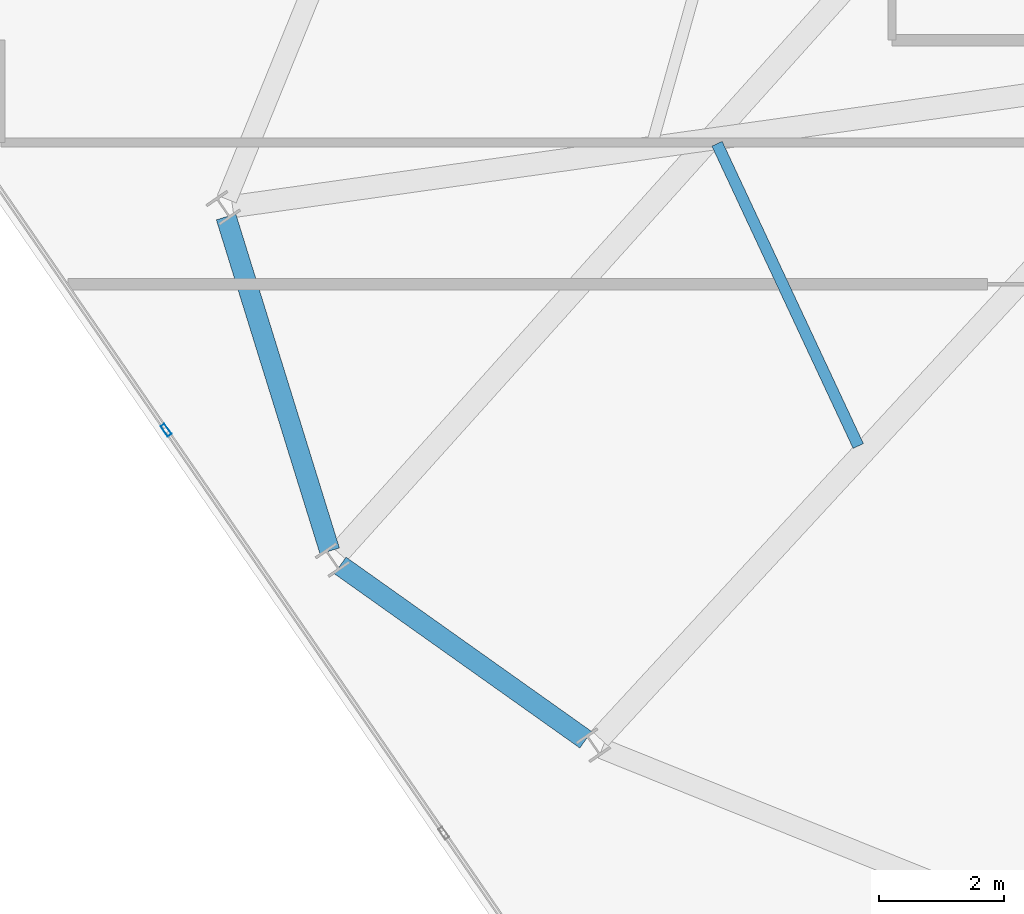
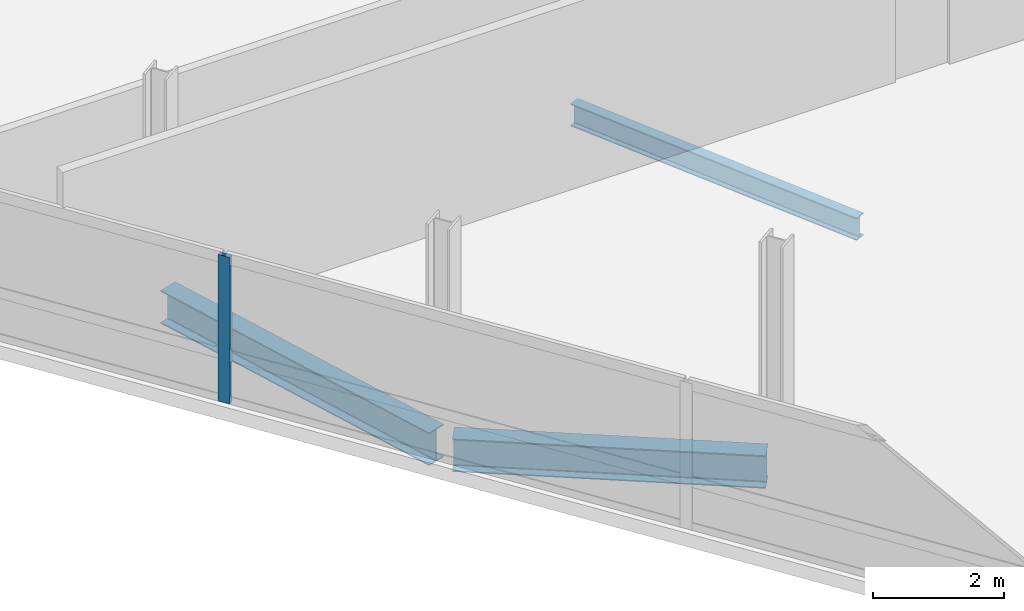
# One storey, part 6 of 23: 3 beams, 1 member, 1 element without a shape of its own.
"""IFC4 building model written with IfcOpenShell, lengths in metres."""

import ifcopenshell
import ifcopenshell.guid

model = None  # the IFC model being written
_history = None  # IfcOwnerHistory: only IFC2X3 demands one
_inside = {}  # id of a spatial element -> (the spatial element, [elements in it])
_under = {}  # id of a project, library or spatial element -> (it, [spatial elements below it])
_declared = {}  # id of a project -> (the project, [libraries it declares])
_typed = {}  # id of a type object -> (the type object, [elements of that type])
_made_of = {}  # id of a material, layer set ... -> (it, [elements and type objects made of it])


def new_model(schema):
    """Start an empty IFC model of exactly this schema.

    Asked for "IFC4X3", IfcOpenShell would pick the latest addendum, in which some entities
    have other attributes; the version numbers below select the first issue.
    IFC2X3 requires an IfcOwnerHistory on every rooted entity: one is made here for all.
    """
    global model, _history
    if schema == "IFC4X3":
        model = ifcopenshell.file(schema_version=(4, 3, 0, 0))
    else:
        model = ifcopenshell.file(schema=schema)
    _inside.clear()
    _under.clear()
    _declared.clear()
    _typed.clear()
    _made_of.clear()
    _history = None
    if model.schema == "IFC2X3":
        org = make("IfcOrganization", Name="unknown")
        user = make(
            "IfcPersonAndOrganization",
            ThePerson=make("IfcPerson", FamilyName="unknown"),
            TheOrganization=org,
        )
        app = make(
            "IfcApplication",
            ApplicationDeveloper=org,
            Version="unknown",
            ApplicationFullName="unknown",
            ApplicationIdentifier="unknown",
        )
        _history = make(
            "IfcOwnerHistory",
            OwningUser=user,
            OwningApplication=app,
            ChangeAction="ADDED",
            CreationDate=0,
        )
    return model


def make(cls, **values):
    """One entity of the class cls with the attributes given. An attribute that is None is left unset."""
    return model.create_entity(
        cls, **{name: value for name, value in values.items() if value is not None}
    )


def rooted(cls, **values):
    """An entity with a GlobalId (a new one), such as an element, a storey or a relation."""
    return make(cls, GlobalId=ifcopenshell.guid.new(), OwnerHistory=_history, **values)


def si_unit(unit_type, name, prefix=None):
    """IfcSIUnit, for example si_unit("LENGTHUNIT", "METRE", prefix="MILLI")."""
    return make("IfcSIUnit", UnitType=unit_type, Prefix=prefix, Name=name)


def assignment(units):
    """IfcUnitAssignment: the units of a project."""
    return None if units is None else make("IfcUnitAssignment", Units=units)


def point(xyz):
    """IfcCartesianPoint."""
    return None if xyz is None else make("IfcCartesianPoint", Coordinates=xyz)


def direction(xyz):
    """IfcDirection."""
    return None if xyz is None else make("IfcDirection", DirectionRatios=xyz)


def frame(location, z_axis=None, x_axis=None):
    """IfcAxis2Placement3D, a coordinate frame: its origin and axes. An axis left out is left unset."""
    return make(
        "IfcAxis2Placement3D",
        Location=point(location),
        Axis=direction(z_axis),
        RefDirection=direction(x_axis),
    )


def frame_2d(location, x_axis=None):
    """IfcAxis2Placement2D, a coordinate frame in the plane: its origin and x axis."""
    return make(
        "IfcAxis2Placement2D", Location=point(location), RefDirection=direction(x_axis)
    )


def origin():
    """The frame at (0, 0, 0) with its axes left unset."""
    return frame((0.0, 0.0, 0.0))


def origin_2d():
    """The frame at (0, 0) in the plane with its x axis left unset."""
    return frame_2d((0.0, 0.0))


def place(relative_to, where):
    """IfcLocalPlacement: puts the frame where relative to a parent placement (None: the world)."""
    return make(
        "IfcLocalPlacement", PlacementRelTo=relative_to, RelativePlacement=where
    )


def context(
    kind, dimensions, precision=None, world=None, true_north=None, identifier=None
):
    """IfcGeometricRepresentationContext, for example the 3D "Model" context."""
    return make(
        "IfcGeometricRepresentationContext",
        ContextIdentifier=identifier,
        ContextType=kind,
        CoordinateSpaceDimension=dimensions,
        Precision=precision,
        WorldCoordinateSystem=world,
        TrueNorth=true_north,
    )


def subcontext(parent, identifier, kind, view, scale=None):
    """IfcGeometricRepresentationSubContext, for example "Body" below "Model"."""
    return make(
        "IfcGeometricRepresentationSubContext",
        ContextIdentifier=identifier,
        ContextType=kind,
        ParentContext=parent,
        TargetScale=scale,
        TargetView=view,
    )


def project(units=None, contexts=None):
    """IfcProject with its units and contexts."""
    return rooted(
        "IfcProject",
        Name="project",
        RepresentationContexts=contexts,
        UnitsInContext=assignment(units),
    )


def spatial(cls, under=None, at=None, **own):
    """A site, building, storey or space (cls), placed at a placement, below another one or the project."""
    s = rooted(cls, ObjectPlacement=at, **own)
    if under is not None:
        _under.setdefault(under.id(), (under, []))[1].append(s)
    return s


def profile(cls, at=None, kind="AREA", **sizes):
    """A parametric profile (cls). Its sizes go by their IFC names, for example OverallWidth=200.0."""
    return make(cls, ProfileType=kind, Position=at, **sizes)


def hollow_rectangle(**sizes):
    """IfcRectangleHollowProfileDef."""
    return profile("IfcRectangleHollowProfileDef", **sizes)


def i_section(**sizes):
    """IfcIShapeProfileDef."""
    return profile("IfcIShapeProfileDef", **sizes)


def extrude(swept, where, along, depth):
    """IfcExtrudedAreaSolid: the profile swept, set in the frame where, extruded along a direction by depth."""
    return make(
        "IfcExtrudedAreaSolid",
        SweptArea=swept,
        Position=where,
        ExtrudedDirection=direction(along),
        Depth=depth,
    )


def shape(context_of_items, identifier, shape_type, items):
    """IfcShapeRepresentation: the items that make up one representation, for example the "Body"."""
    return make(
        "IfcShapeRepresentation",
        ContextOfItems=context_of_items,
        RepresentationIdentifier=identifier,
        RepresentationType=shape_type,
        Items=items,
    )


def material(Name=None, Category=None):
    """IfcMaterial."""
    return make("IfcMaterial", Name=Name, Category=Category)


def layer(
    of_material, thickness, ventilated=None, Name=None, Category=None, Priority=None
):
    """IfcMaterialLayer: one layer of a wall or slab, of a material (None: an air gap)."""
    return make(
        "IfcMaterialLayer",
        Material=of_material,
        LayerThickness=thickness,
        IsVentilated=ventilated,
        Name=Name,
        Category=Category,
        Priority=Priority,
    )


def layer_set(layers, Name=None):
    """IfcMaterialLayerSet."""
    return make("IfcMaterialLayerSet", MaterialLayers=layers, LayerSetName=Name)


def material_profile(
    of_material, cross_section, Name=None, Category=None, Priority=None
):
    """IfcMaterialProfile: a cross section and its material."""
    return make(
        "IfcMaterialProfile",
        Name=Name,
        Material=of_material,
        Profile=cross_section,
        Priority=Priority,
        Category=Category,
    )


def profile_set(profiles, Name=None, composite=None):
    """IfcMaterialProfileSet."""
    return make(
        "IfcMaterialProfileSet",
        Name=Name,
        MaterialProfiles=profiles,
        CompositeProfile=composite,
    )


def made_of(thing, what):
    """Note that an element or type object is made of a material, layer set ...; save() writes the relation."""
    if what is not None:
        _made_of.setdefault(what.id(), (what, []))[1].append(thing)
    return thing


def type_object(cls, material=None, **own):
    """A type object (cls), such as IfcWallType, which elements share."""
    return made_of(rooted(cls, **own), material)


def element(
    cls,
    number,
    at=None,
    inside=None,
    cuts=None,
    type_object=None,
    material=None,
    context=None,
    identifier="Body",
    shape_type=None,
    held_by="IfcProductDefinitionShape",
    body=None,
    shapes=None,
    **own,
):
    """One element of the class cls, such as IfcWall. Its Tag is "e" and its number.

    at: its placement. inside: the storey or other place that contains it. cuts: it is an
    opening in that element (IfcRelVoidsElement). A single representation is given by context,
    identifier, shape_type and body (its items); several are given by shapes. held_by: the class
    of the entity that holds the representations. save() writes the other relations.
    """
    e = rooted(cls, Tag="e%d" % number, ObjectPlacement=at, **own)
    if body is not None:
        shapes = [shape(context, identifier, shape_type, body)]
    if shapes is not None:
        e.Representation = make(held_by, Representations=shapes)
    if inside is not None:
        _inside.setdefault(inside.id(), (inside, []))[1].append(e)
    if cuts is not None:
        rooted(
            "IfcRelVoidsElement", RelatingBuildingElement=cuts, RelatedOpeningElement=e
        )
    if type_object is not None:
        _typed.setdefault(type_object.id(), (type_object, []))[1].append(e)
    return made_of(e, material)


def aggregate(whole, parts):
    """IfcRelAggregates: a whole, such as a stair, and the parts it consists of."""
    return rooted("IfcRelAggregates", RelatingObject=whole, RelatedObjects=parts)


def save(model, path):
    """Write the relations noted so far, then the file.

    IfcRelAggregates (storeys below a building ...), IfcRelContainedInSpatialStructure (elements
    in a storey), IfcRelDefinesByType, IfcRelAssociatesMaterial and IfcRelDeclares: one each for
    every whole, place, type object, material and project.
    """
    for whole, parts in _under.values():
        aggregate(whole, parts)
    for where, things in _inside.values():
        rooted(
            "IfcRelContainedInSpatialStructure",
            RelatedElements=things,
            RelatingStructure=where,
        )
    for kind, things in _typed.values():
        rooted("IfcRelDefinesByType", RelatedObjects=things, RelatingType=kind)
    for what, things in _made_of.values():
        rooted("IfcRelAssociatesMaterial", RelatedObjects=things, RelatingMaterial=what)
    for by, libraries in _declared.values():
        rooted("IfcRelDeclares", RelatingContext=by, RelatedDefinitions=libraries)
    model.write(path)


model = new_model("IFC4")

# Units and contexts
model_context = context("Model", 3, precision=1e-05, world=origin(), true_north=direction((0.0, 1.0)))
body_context = subcontext(model_context, "Body", "Model", "MODEL_VIEW")
ifc_project = project(units=[si_unit("LENGTHUNIT", "METRE"), si_unit("AREAUNIT", "SQUARE_METRE"), si_unit("VOLUMEUNIT", "CUBIC_METRE"), si_unit("PLANEANGLEUNIT", "RADIAN"), si_unit("MASSUNIT", "GRAM", prefix="KILO")], contexts=[model_context])

# Site, building, storey
site_placement = place(None, origin())
site = spatial("IfcSite", under=ifc_project, at=site_placement, CompositionType="ELEMENT")
building_placement = place(site_placement, origin())
building = spatial("IfcBuilding", under=site, at=building_placement, Name="Varnelok Gate Tower", CompositionType="ELEMENT")
storey_placement = place(building_placement, frame((0.0, 0.0, 258.199951171875)))
storey = spatial("IfcBuildingStorey", under=building, at=storey_placement, Name="L66", CompositionType="ELEMENT", Elevation=258.199951171875)

# Beams
ifc_material_1 = material(Name="Structural Steel ASTM A992 Grade 50", Category="steel")
ifc_material_profile_1 = material_profile(ifc_material_1, i_section(OverallWidth=0.180908203125, OverallDepth=0.4169921875, WebThickness=0.010986328125, FlangeThickness=0.018310546875, FilletRadius=0.013916015625, at=origin_2d()), Name="W16X57")
ifc_profile_set_1 = profile_set([ifc_material_profile_1], Name="Structural Steel ASTM A992 Grade 50")
beam_type_1 = type_object("IfcBeamType", Name="BM-JST-W16X57", PredefinedType="JOIST", material=ifc_profile_set_1)
beam_1_placement = place(storey_placement, frame((16.413330078125, 17.59033203125, -0.45849609375), z_axis=(0.423440846808, -0.905923754658, 0.0), x_axis=(0.905923754658, 0.423440846808, 0.0)))
element("IfcBeam", 1, at=beam_1_placement, inside=storey, type_object=beam_type_1, Name="L66 Sector Floor Joist 14", PredefinedType="JOIST", context=body_context, shape_type="SweptSolid", body=[
    extrude(i_section(OverallWidth=0.180908203125, OverallDepth=0.4169921875, WebThickness=0.010986328125, FlangeThickness=0.018310546875, FilletRadius=0.013916015625, at=origin_2d()), origin(), (0.0, 0.0, 1.0), 5.317626953125),
])
ifc_material_profile_2 = material_profile(ifc_material_1, i_section(OverallWidth=0.323974609375, OverallDepth=0.611083984375, WebThickness=0.0126953125, FlangeThickness=0.01904296875, FilletRadius=0.01806640625, at=origin_2d()), Name="W24X104")
ifc_profile_set_2 = profile_set([ifc_material_profile_2], Name="Structural Steel ASTM A992 Grade 50")
beam_type_2 = type_object("IfcBeamType", Name="BM-SPN-W24X104", PredefinedType="SPANDREL", material=ifc_profile_set_2)
beam_2_placement = place(storey_placement, frame((8.587646484375, 16.42529296875, -0.555419921875), z_axis=(0.296300068239, -0.955094900814, 0.0), x_axis=(0.955094900814, 0.296300068239, 0.0)))
element("IfcBeam", 2, at=beam_2_placement, inside=storey, type_object=beam_type_2, Name="L66 Perimeter Spandrel Beam 14", PredefinedType="SPANDREL", context=body_context, shape_type="SweptSolid", body=[
    extrude(i_section(OverallWidth=0.323974609375, OverallDepth=0.611083984375, WebThickness=0.0126953125, FlangeThickness=0.01904296875, FilletRadius=0.01806640625, at=origin_2d()), origin(), (0.0, 0.0, 1.0), 5.57666015625),
])
beam_3_placement = place(storey_placement, frame((10.40673828125, 10.868896484375, -0.555419921875), z_axis=(0.815431243688, -0.57885394256, 0.0), x_axis=(0.57885394256, 0.815431243688, 0.0)))
element("IfcBeam", 3, at=beam_3_placement, inside=storey, type_object=beam_type_2, Name="L66 Perimeter Spandrel Beam 15", PredefinedType="SPANDREL", context=body_context, shape_type="SweptSolid", body=[
    extrude(i_section(OverallWidth=0.323974609375, OverallDepth=0.611083984375, WebThickness=0.0126953125, FlangeThickness=0.01904296875, FilletRadius=0.01806640625, at=origin_2d()), origin(), (0.0, 0.0, 1.0), 4.7998046875),
])

# Curtain wall, member
ifc_material_2 = material(Name="Anodized Aluminum Alloy 6063-T6", Category="aluminium")
ifc_layer = layer(ifc_material_2, 0.179931640625)
ifc_layer_set = layer_set([ifc_layer], Name="Anodized Aluminum Alloy 6063-T6")
curtain_wall_type = type_object("IfcCurtainWallType", Name="CW4-RESIDENCE-VISION", PredefinedType="USERDEFINED", material=ifc_layer_set)
curtain_wall_placement = place(storey_placement, origin())
curtain_wall = element("IfcCurtainWall", 4, at=curtain_wall_placement, inside=storey, type_object=curtain_wall_type, Name="L66 West End Vision Curtain Wall", ObjectType="UNITISED CURTAIN WALL", PredefinedType="USERDEFINED")
ifc_material_profile_3 = material_profile(ifc_material_2, hollow_rectangle(XDim=0.074951171875, YDim=0.199951171875, WallThickness=0.00390625, at=origin_2d()), Name="ALU200X75X4")
ifc_profile_set_3 = profile_set([ifc_material_profile_3], Name="Anodized Aluminum Alloy 6063-T6")
member_type = type_object("IfcMemberType", Name="CW-MULL-200", PredefinedType="MULLION", material=ifc_profile_set_3)
member_placement = place(storey_placement, frame((7.631591796875, 13.0263671875, 0.0), z_axis=(0.0, 0.0, 1.0), x_axis=(-0.823532290241, -0.567269395376, 0.0)))
member = element("IfcMember", 5, at=member_placement, type_object=member_type, Name="CW4 mullion 4", PredefinedType="MULLION", context=body_context, shape_type="SweptSolid", body=[
    extrude(hollow_rectangle(XDim=0.074951171875, YDim=0.199951171875, WallThickness=0.00390625, at=origin_2d()), origin(), (0.0, 0.0, 1.0), 2.72998046875),
])
aggregate(curtain_wall, [member])

save(model, "model.ifc")
